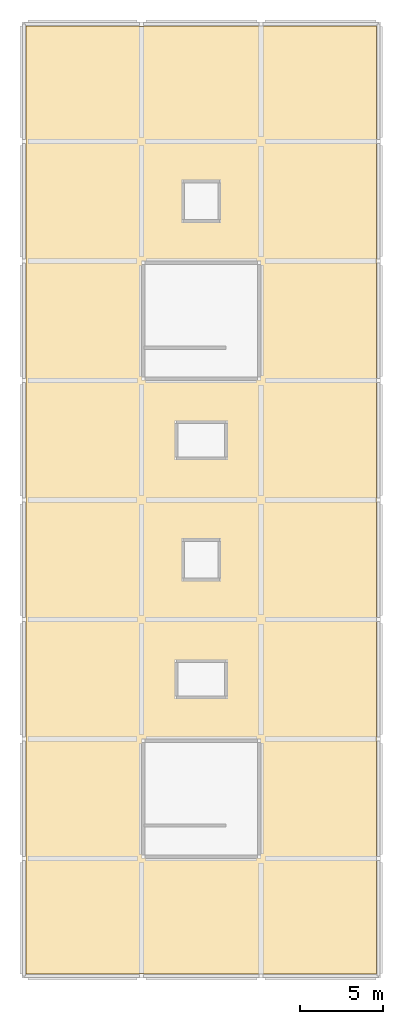
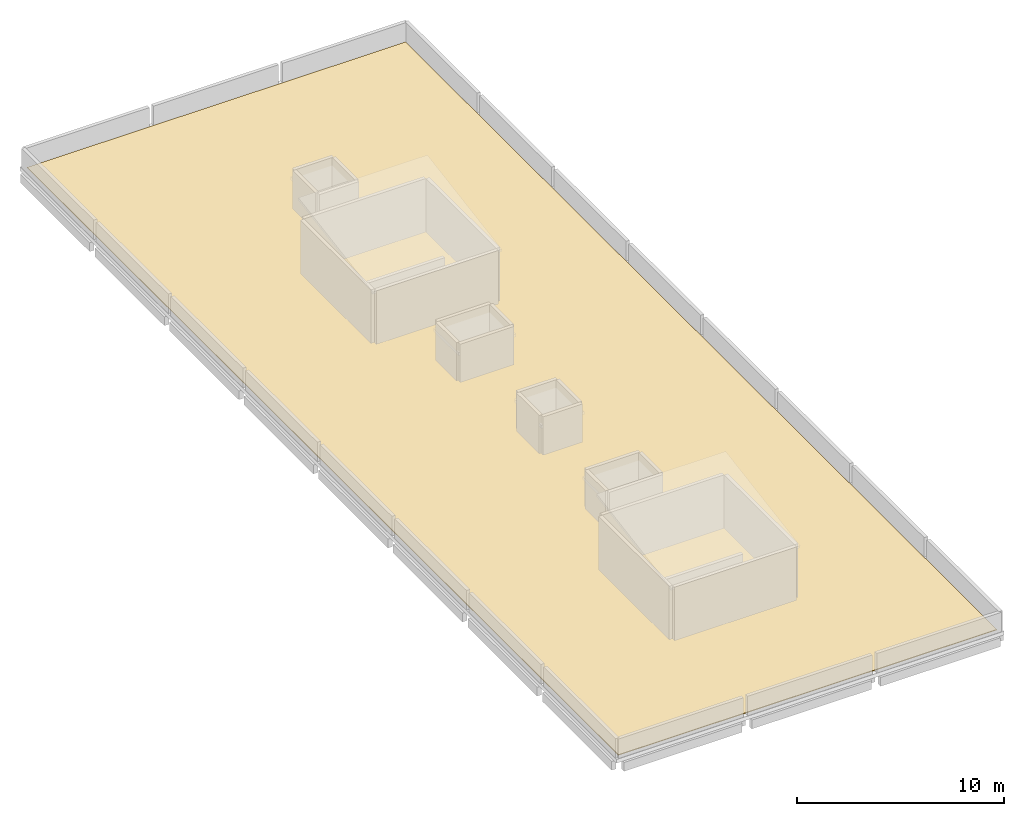
# One storey, part 3 of 3: 1 covering.
"""IFC4 building model written with IfcOpenShell, lengths in metres."""

from ifc_helpers import new_model, si_unit, direction, frame, origin, place, context, subcontext, project, spatial, polyline, outline, extrude, material, layer, layer_set, type_object, element, save


model = new_model("IFC4")

# Units and contexts
model_context = context("Model", 3, precision=1e-05, world=origin(), true_north=direction((0.0, 1.0)))
body_context = subcontext(model_context, "Body", "Model", "MODEL_VIEW")
ifc_project = project(units=[si_unit("LENGTHUNIT", "METRE"), si_unit("AREAUNIT", "SQUARE_METRE"), si_unit("VOLUMEUNIT", "CUBIC_METRE"), si_unit("PLANEANGLEUNIT", "RADIAN"), si_unit("MASSUNIT", "GRAM", prefix="KILO")], contexts=[model_context])

# Site, building, storey
site_placement = place(None, origin())
site = spatial("IfcSite", under=ifc_project, at=site_placement, CompositionType="ELEMENT")
building_placement = place(site_placement, origin())
building = spatial("IfcBuilding", under=site, at=building_placement, Name="Kangsadwip Square Police Headquarters", CompositionType="ELEMENT")
storey_placement = place(building_placement, frame((0.0, 0.0, 33.75)))
storey = spatial("IfcBuildingStorey", under=building, at=storey_placement, Name="ROOF", CompositionType="ELEMENT", Elevation=33.75)

# Covering
ifc_material = material(Name="High-albedo elastomeric SRI-104 insulated roof membrane", Category="roofing")
ifc_layer = layer(ifc_material, 0.0400390625)
ifc_layer_set = layer_set([ifc_layer], Name="High-albedo elastomeric SRI-104 insulated roof membrane")
covering_type = type_object("IfcCoveringType", Name="HighAlbedoRoofMembrane", PredefinedType="ROOFING", material=ifc_layer_set)
covering_placement = place(storey_placement, origin())
element("IfcCovering", 1, at=covering_placement, inside=storey, type_object=covering_type, Name="Cool Roof Membrane RF-ROOF-V5", PredefinedType="ROOFING", context=body_context, shape_type="SweptSolid", body=[
    extrude(outline(polyline([(0.25, 36.25), (21.35009765625, 36.25), (21.35009765625, 93.35009765625), (0.25, 93.35009765625), (0.25, 36.25)])), origin(), (0.0, 0.0, 1.0), 0.0400390625),
])

save(model, "model.ifc")
